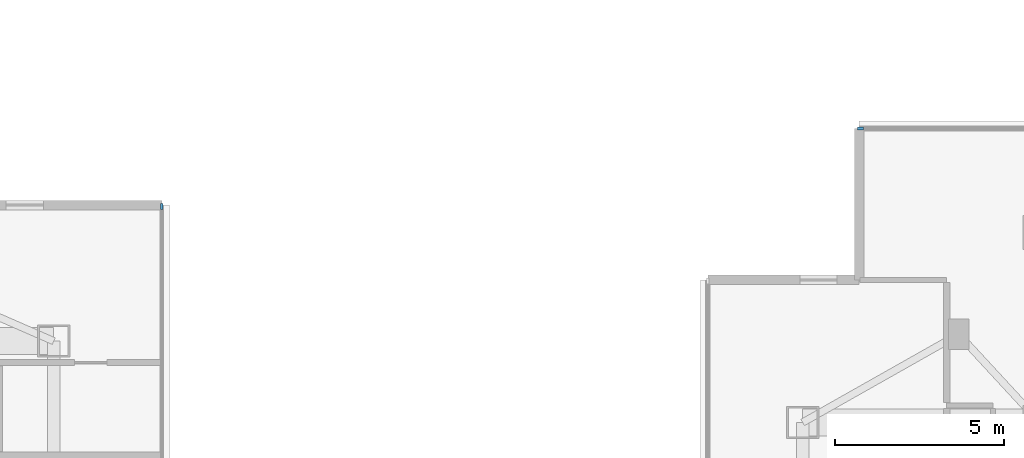
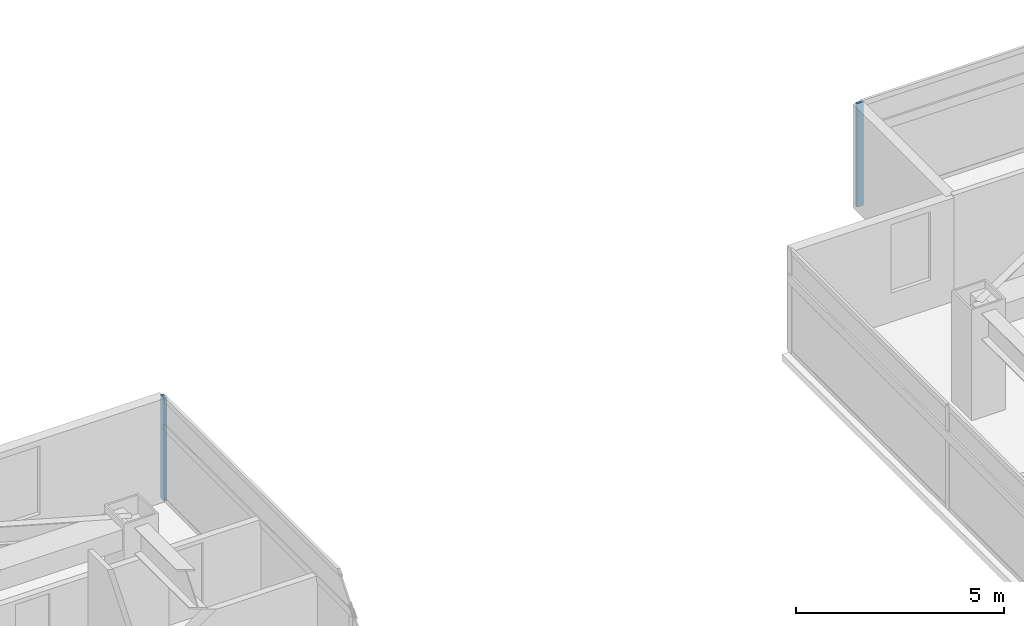
# One storey, part 7 of 25: 2 members, 2 elements without a shape of their own.
"""IFC4 building model written with IfcOpenShell, lengths in metres."""

import ifcopenshell
import ifcopenshell.guid

model = None  # the IFC model being written
_history = None  # IfcOwnerHistory: only IFC2X3 demands one
_inside = {}  # id of a spatial element -> (the spatial element, [elements in it])
_under = {}  # id of a project, library or spatial element -> (it, [spatial elements below it])
_declared = {}  # id of a project -> (the project, [libraries it declares])
_typed = {}  # id of a type object -> (the type object, [elements of that type])
_made_of = {}  # id of a material, layer set ... -> (it, [elements and type objects made of it])


def new_model(schema):
    """Start an empty IFC model of exactly this schema.

    Asked for "IFC4X3", IfcOpenShell would pick the latest addendum, in which some entities
    have other attributes; the version numbers below select the first issue.
    IFC2X3 requires an IfcOwnerHistory on every rooted entity: one is made here for all.
    """
    global model, _history
    if schema == "IFC4X3":
        model = ifcopenshell.file(schema_version=(4, 3, 0, 0))
    else:
        model = ifcopenshell.file(schema=schema)
    _inside.clear()
    _under.clear()
    _declared.clear()
    _typed.clear()
    _made_of.clear()
    _history = None
    if model.schema == "IFC2X3":
        org = make("IfcOrganization", Name="unknown")
        user = make(
            "IfcPersonAndOrganization",
            ThePerson=make("IfcPerson", FamilyName="unknown"),
            TheOrganization=org,
        )
        app = make(
            "IfcApplication",
            ApplicationDeveloper=org,
            Version="unknown",
            ApplicationFullName="unknown",
            ApplicationIdentifier="unknown",
        )
        _history = make(
            "IfcOwnerHistory",
            OwningUser=user,
            OwningApplication=app,
            ChangeAction="ADDED",
            CreationDate=0,
        )
    return model


def make(cls, **values):
    """One entity of the class cls with the attributes given. An attribute that is None is left unset."""
    return model.create_entity(
        cls, **{name: value for name, value in values.items() if value is not None}
    )


def rooted(cls, **values):
    """An entity with a GlobalId (a new one), such as an element, a storey or a relation."""
    return make(cls, GlobalId=ifcopenshell.guid.new(), OwnerHistory=_history, **values)


def si_unit(unit_type, name, prefix=None):
    """IfcSIUnit, for example si_unit("LENGTHUNIT", "METRE", prefix="MILLI")."""
    return make("IfcSIUnit", UnitType=unit_type, Prefix=prefix, Name=name)


def assignment(units):
    """IfcUnitAssignment: the units of a project."""
    return None if units is None else make("IfcUnitAssignment", Units=units)


def point(xyz):
    """IfcCartesianPoint."""
    return None if xyz is None else make("IfcCartesianPoint", Coordinates=xyz)


def direction(xyz):
    """IfcDirection."""
    return None if xyz is None else make("IfcDirection", DirectionRatios=xyz)


def frame(location, z_axis=None, x_axis=None):
    """IfcAxis2Placement3D, a coordinate frame: its origin and axes. An axis left out is left unset."""
    return make(
        "IfcAxis2Placement3D",
        Location=point(location),
        Axis=direction(z_axis),
        RefDirection=direction(x_axis),
    )


def frame_2d(location, x_axis=None):
    """IfcAxis2Placement2D, a coordinate frame in the plane: its origin and x axis."""
    return make(
        "IfcAxis2Placement2D", Location=point(location), RefDirection=direction(x_axis)
    )


def origin():
    """The frame at (0, 0, 0) with its axes left unset."""
    return frame((0.0, 0.0, 0.0))


def origin_2d():
    """The frame at (0, 0) in the plane with its x axis left unset."""
    return frame_2d((0.0, 0.0))


def place(relative_to, where):
    """IfcLocalPlacement: puts the frame where relative to a parent placement (None: the world)."""
    return make(
        "IfcLocalPlacement", PlacementRelTo=relative_to, RelativePlacement=where
    )


def context(
    kind, dimensions, precision=None, world=None, true_north=None, identifier=None
):
    """IfcGeometricRepresentationContext, for example the 3D "Model" context."""
    return make(
        "IfcGeometricRepresentationContext",
        ContextIdentifier=identifier,
        ContextType=kind,
        CoordinateSpaceDimension=dimensions,
        Precision=precision,
        WorldCoordinateSystem=world,
        TrueNorth=true_north,
    )


def subcontext(parent, identifier, kind, view, scale=None):
    """IfcGeometricRepresentationSubContext, for example "Body" below "Model"."""
    return make(
        "IfcGeometricRepresentationSubContext",
        ContextIdentifier=identifier,
        ContextType=kind,
        ParentContext=parent,
        TargetScale=scale,
        TargetView=view,
    )


def project(units=None, contexts=None):
    """IfcProject with its units and contexts."""
    return rooted(
        "IfcProject",
        Name="project",
        RepresentationContexts=contexts,
        UnitsInContext=assignment(units),
    )


def spatial(cls, under=None, at=None, **own):
    """A site, building, storey or space (cls), placed at a placement, below another one or the project."""
    s = rooted(cls, ObjectPlacement=at, **own)
    if under is not None:
        _under.setdefault(under.id(), (under, []))[1].append(s)
    return s


def profile(cls, at=None, kind="AREA", **sizes):
    """A parametric profile (cls). Its sizes go by their IFC names, for example OverallWidth=200.0."""
    return make(cls, ProfileType=kind, Position=at, **sizes)


def rectangle(**sizes):
    """IfcRectangleProfileDef."""
    return profile("IfcRectangleProfileDef", **sizes)


def extrude(swept, where, along, depth):
    """IfcExtrudedAreaSolid: the profile swept, set in the frame where, extruded along a direction by depth."""
    return make(
        "IfcExtrudedAreaSolid",
        SweptArea=swept,
        Position=where,
        ExtrudedDirection=direction(along),
        Depth=depth,
    )


def shape(context_of_items, identifier, shape_type, items):
    """IfcShapeRepresentation: the items that make up one representation, for example the "Body"."""
    return make(
        "IfcShapeRepresentation",
        ContextOfItems=context_of_items,
        RepresentationIdentifier=identifier,
        RepresentationType=shape_type,
        Items=items,
    )


def material(Name=None, Category=None):
    """IfcMaterial."""
    return make("IfcMaterial", Name=Name, Category=Category)


def material_profile(
    of_material, cross_section, Name=None, Category=None, Priority=None
):
    """IfcMaterialProfile: a cross section and its material."""
    return make(
        "IfcMaterialProfile",
        Name=Name,
        Material=of_material,
        Profile=cross_section,
        Priority=Priority,
        Category=Category,
    )


def profile_set(profiles, Name=None, composite=None):
    """IfcMaterialProfileSet."""
    return make(
        "IfcMaterialProfileSet",
        Name=Name,
        MaterialProfiles=profiles,
        CompositeProfile=composite,
    )


def made_of(thing, what):
    """Note that an element or type object is made of a material, layer set ...; save() writes the relation."""
    if what is not None:
        _made_of.setdefault(what.id(), (what, []))[1].append(thing)
    return thing


def type_object(cls, material=None, **own):
    """A type object (cls), such as IfcWallType, which elements share."""
    return made_of(rooted(cls, **own), material)


def element(
    cls,
    number,
    at=None,
    inside=None,
    cuts=None,
    type_object=None,
    material=None,
    context=None,
    identifier="Body",
    shape_type=None,
    held_by="IfcProductDefinitionShape",
    body=None,
    shapes=None,
    **own,
):
    """One element of the class cls, such as IfcWall. Its Tag is "e" and its number.

    at: its placement. inside: the storey or other place that contains it. cuts: it is an
    opening in that element (IfcRelVoidsElement). A single representation is given by context,
    identifier, shape_type and body (its items); several are given by shapes. held_by: the class
    of the entity that holds the representations. save() writes the other relations.
    """
    e = rooted(cls, Tag="e%d" % number, ObjectPlacement=at, **own)
    if body is not None:
        shapes = [shape(context, identifier, shape_type, body)]
    if shapes is not None:
        e.Representation = make(held_by, Representations=shapes)
    if inside is not None:
        _inside.setdefault(inside.id(), (inside, []))[1].append(e)
    if cuts is not None:
        rooted(
            "IfcRelVoidsElement", RelatingBuildingElement=cuts, RelatedOpeningElement=e
        )
    if type_object is not None:
        _typed.setdefault(type_object.id(), (type_object, []))[1].append(e)
    return made_of(e, material)


def aggregate(whole, parts):
    """IfcRelAggregates: a whole, such as a stair, and the parts it consists of."""
    return rooted("IfcRelAggregates", RelatingObject=whole, RelatedObjects=parts)


def save(model, path):
    """Write the relations noted so far, then the file.

    IfcRelAggregates (storeys below a building ...), IfcRelContainedInSpatialStructure (elements
    in a storey), IfcRelDefinesByType, IfcRelAssociatesMaterial and IfcRelDeclares: one each for
    every whole, place, type object, material and project.
    """
    for whole, parts in _under.values():
        aggregate(whole, parts)
    for where, things in _inside.values():
        rooted(
            "IfcRelContainedInSpatialStructure",
            RelatedElements=things,
            RelatingStructure=where,
        )
    for kind, things in _typed.values():
        rooted("IfcRelDefinesByType", RelatedObjects=things, RelatingType=kind)
    for what, things in _made_of.values():
        rooted("IfcRelAssociatesMaterial", RelatedObjects=things, RelatingMaterial=what)
    for by, libraries in _declared.values():
        rooted("IfcRelDeclares", RelatingContext=by, RelatedDefinitions=libraries)
    model.write(path)


model = new_model("IFC4")

# Units and contexts
model_context = context("Model", 3, precision=1e-05, world=origin(), true_north=direction((0.0, 1.0)))
body_context = subcontext(model_context, "Body", "Model", "MODEL_VIEW")
ifc_project = project(units=[si_unit("LENGTHUNIT", "METRE"), si_unit("AREAUNIT", "SQUARE_METRE"), si_unit("VOLUMEUNIT", "CUBIC_METRE"), si_unit("PLANEANGLEUNIT", "RADIAN"), si_unit("MASSUNIT", "GRAM", prefix="KILO")], contexts=[model_context])

# Site, building, storey
site_placement = place(None, origin())
site = spatial("IfcSite", under=ifc_project, at=site_placement, CompositionType="ELEMENT")
building_placement = place(site_placement, origin())
building = spatial("IfcBuilding", under=site, at=building_placement, Name="Mirazonda Arch Towers", CompositionType="ELEMENT")
storey_placement = place(building_placement, frame((0.0, 0.0, 177.14990234375)))
storey = spatial("IfcBuildingStorey", under=building, at=storey_placement, Name="L50", CompositionType="ELEMENT", Elevation=177.14990234375)

# Curtain wall, member
ifc_material_1 = material(Name="Anodised Aluminium and Low-E Glass", Category="aluminium")
curtain_wall_type = type_object("IfcCurtainWallType", Name="CW-RES-UNIT", PredefinedType="NOTDEFINED", material=ifc_material_1)
curtain_wall_1_placement = place(storey_placement, origin())
curtain_wall_1 = element("IfcCurtainWall", 1, at=curtain_wall_1_placement, inside=storey, type_object=curtain_wall_type, Name="L50 T1 E Facade CW-L50-T1-E", PredefinedType="NOTDEFINED")
ifc_material_2 = material(Name="Anodised Aluminium Alloy", Category="aluminium")
ifc_material_profile = material_profile(ifc_material_2, rectangle(XDim=0.074951171875, YDim=0.175048828125, at=origin_2d()), Name="ALU-MULL-75x175")
ifc_profile_set = profile_set([ifc_material_profile], Name="Anodised Aluminium Alloy")
member_type = type_object("IfcMemberType", Name="MULL-CW-RES-UNIT", PredefinedType="MULLION", material=ifc_profile_set)
member_1_placement = place(storey_placement, frame((42.090087890625, 41.573486328125, 0.0), z_axis=(0.0, 0.0, 1.0), x_axis=(-1.0, 0.0, 0.0)))
member_1 = element("IfcMember", 2, at=member_1_placement, type_object=member_type, Name="CW-104 mullion 4", PredefinedType="MULLION", context=body_context, shape_type="SweptSolid", body=[
    extrude(rectangle(XDim=0.074951171875, YDim=0.175048828125, at=origin_2d()), origin(), (0.0, 0.0, 1.0), 3.030029296875),
])
aggregate(curtain_wall_1, [member_1])

curtain_wall_2_placement = place(storey_placement, origin())
curtain_wall_2 = element("IfcCurtainWall", 3, at=curtain_wall_2_placement, inside=storey, type_object=curtain_wall_type, Name="L50 T2 N Facade CW-L50-T2-N", PredefinedType="NOTDEFINED")
member_2_placement = place(storey_placement, frame((62.7041015625, 43.87451171875, 0.0), z_axis=(0.0, 0.0, 1.0), x_axis=(0.0, 1.0, 0.0)))
member_2 = element("IfcMember", 4, at=member_2_placement, type_object=member_type, Name="CW-104 mullion 1", PredefinedType="MULLION", context=body_context, shape_type="SweptSolid", body=[
    extrude(rectangle(XDim=0.074951171875, YDim=0.175048828125, at=origin_2d()), origin(), (0.0, 0.0, 1.0), 3.030029296875),
])
aggregate(curtain_wall_2, [member_2])

save(model, "model.ifc")
